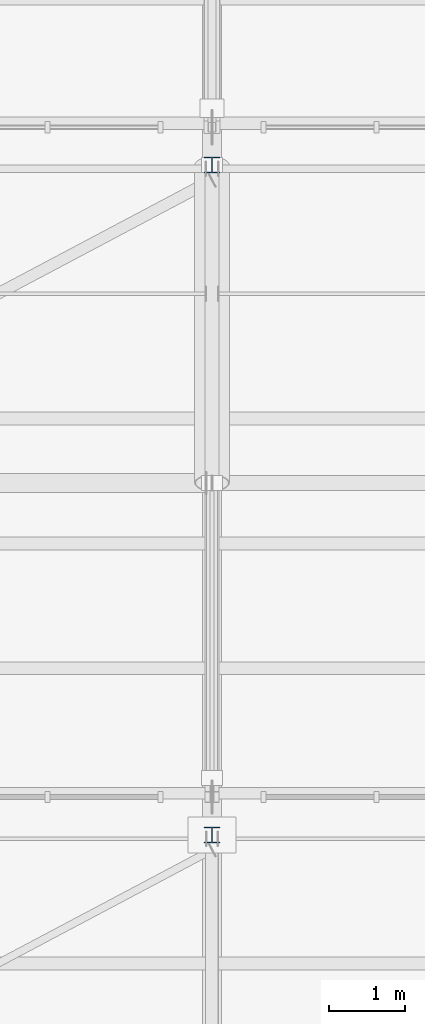
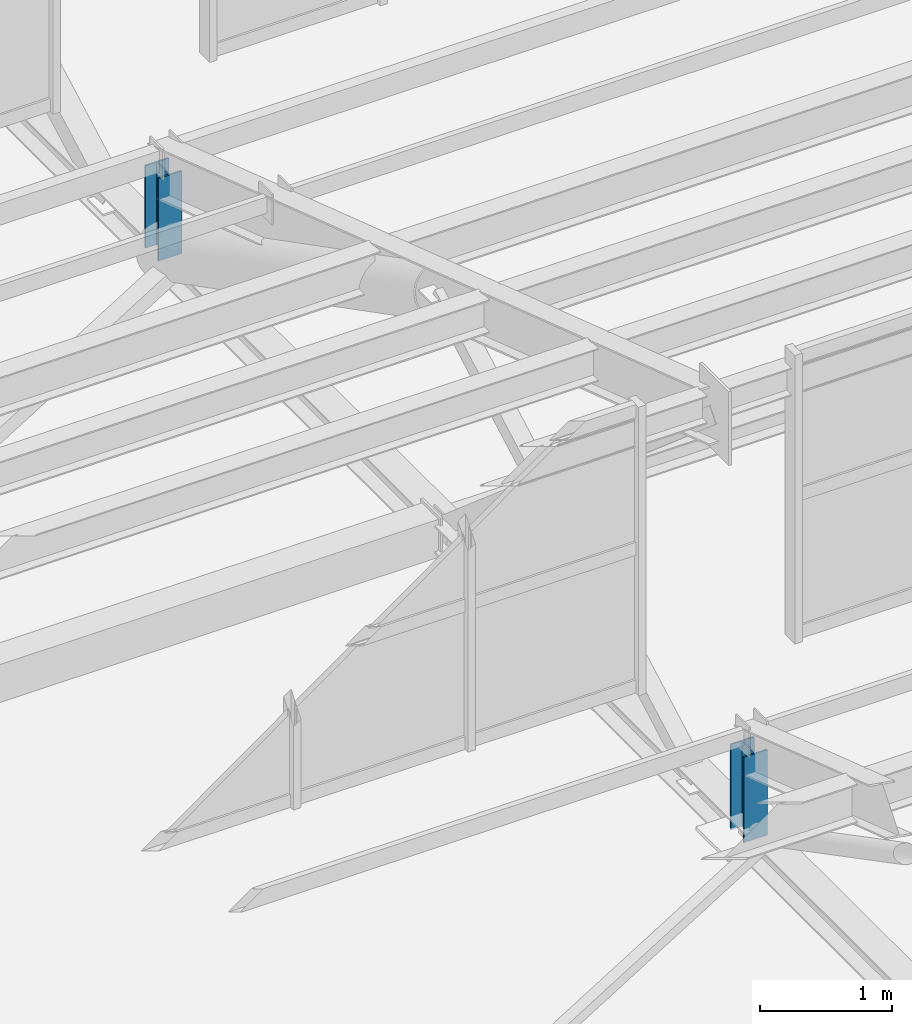
# One storey, part 145 of 285: 2 members.
"""IFC4 building model written with IfcOpenShell, lengths in metres."""

from ifc_helpers import new_model, si_unit, direction, frame, origin, origin_2d, place, context, subcontext, project, spatial, i_section, extrude, material, material_profile, profile_set, type_object, element, save


model = new_model("IFC4")

# Units and contexts
model_context = context("Model", 3, precision=1e-05, world=origin(), true_north=direction((0.0, 1.0)))
body_context = subcontext(model_context, "Body", "Model", "MODEL_VIEW")
ifc_project = project(units=[si_unit("LENGTHUNIT", "METRE"), si_unit("AREAUNIT", "SQUARE_METRE"), si_unit("VOLUMEUNIT", "CUBIC_METRE"), si_unit("PLANEANGLEUNIT", "RADIAN"), si_unit("MASSUNIT", "GRAM", prefix="KILO")], contexts=[model_context])

# Site, building, storey
site_placement = place(None, origin())
site = spatial("IfcSite", under=ifc_project, at=site_placement, CompositionType="ELEMENT")
building_placement = place(site_placement, origin())
building = spatial("IfcBuilding", under=site, at=building_placement, Name="Solanera Park Tramway Depot", CompositionType="ELEMENT")
storey_placement = place(building_placement, origin())
storey = spatial("IfcBuildingStorey", under=building, at=storey_placement, Name="L00", CompositionType="ELEMENT", Elevation=0.0)

# Members
ifc_material = material(Name="Steel AS/NZS 3679.1 Grade 350", Category="steel")
ifc_material_profile = material_profile(ifc_material, i_section(OverallWidth=0.205078125, OverallDepth=0.209716796875, WebThickness=0.00927734375, FlangeThickness=0.01416015625, at=origin_2d()), Name="200UC59.5")
ifc_profile_set = profile_set([ifc_material_profile], Name="Steel AS/NZS 3679.1 Grade 350")
member_type = type_object("IfcMemberType", Name="Roof Gantry Compression Strut 200UC59.5", PredefinedType="STRUT", material=ifc_profile_set)
member_1_placement = place(storey_placement, frame((30.0, 99.5, 6.5), z_axis=(0.0, 0.0, 1.0), x_axis=(1.0, 0.0, 0.0)))
element("IfcMember", 1, at=member_1_placement, inside=storey, type_object=member_type, Name="Sawtooth ROOF TRUSS Valley Post 200UC59.5 #0043", PredefinedType="STRUT", context=body_context, shape_type="SweptSolid", body=[
    extrude(i_section(OverallWidth=0.205078125, OverallDepth=0.209716796875, WebThickness=0.00927734375, FlangeThickness=0.01416015625, at=origin_2d()), origin(), (0.0, 0.0, 1.0), 0.78759765625),
])
member_2_placement = place(storey_placement, frame((30.0, 108.35009765625, 6.5), z_axis=(0.0, 0.0, 1.0), x_axis=(1.0, 0.0, 0.0)))
element("IfcMember", 2, at=member_2_placement, inside=storey, type_object=member_type, Name="Sawtooth ROOF TRUSS Valley Post 200UC59.5 #0054", PredefinedType="STRUT", context=body_context, shape_type="SweptSolid", body=[
    extrude(i_section(OverallWidth=0.205078125, OverallDepth=0.209716796875, WebThickness=0.00927734375, FlangeThickness=0.01416015625, at=origin_2d()), origin(), (0.0, 0.0, 1.0), 0.76220703125),
])

save(model, "model.ifc")
